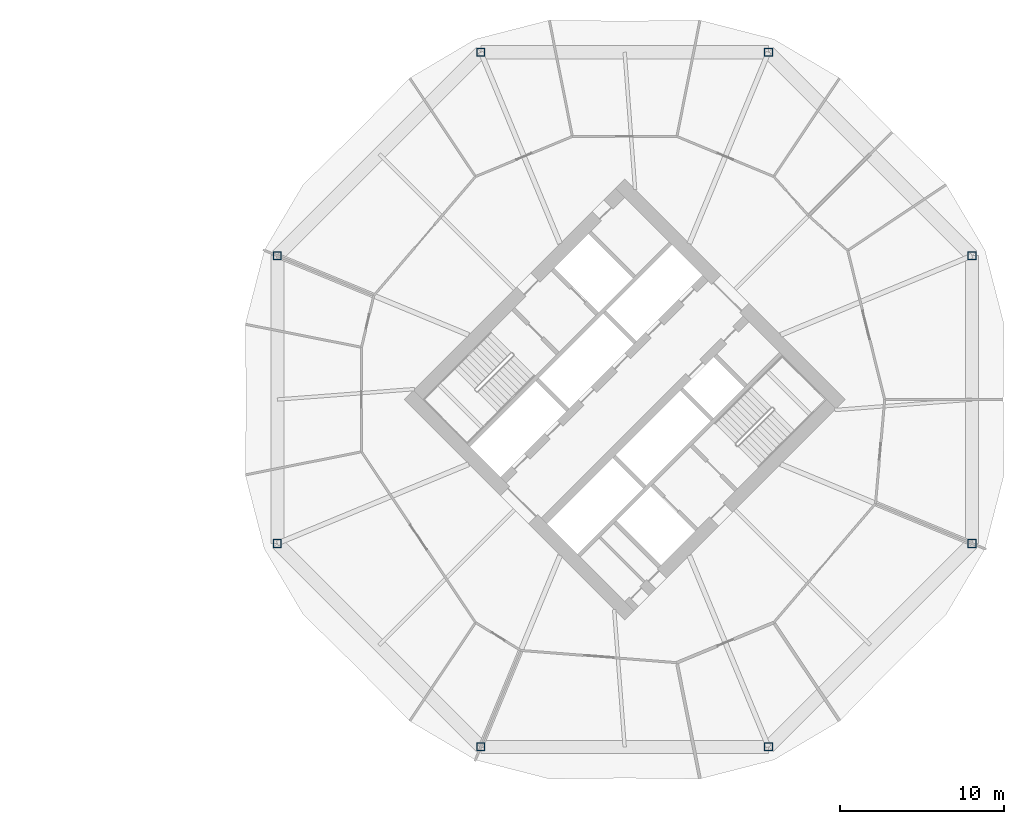
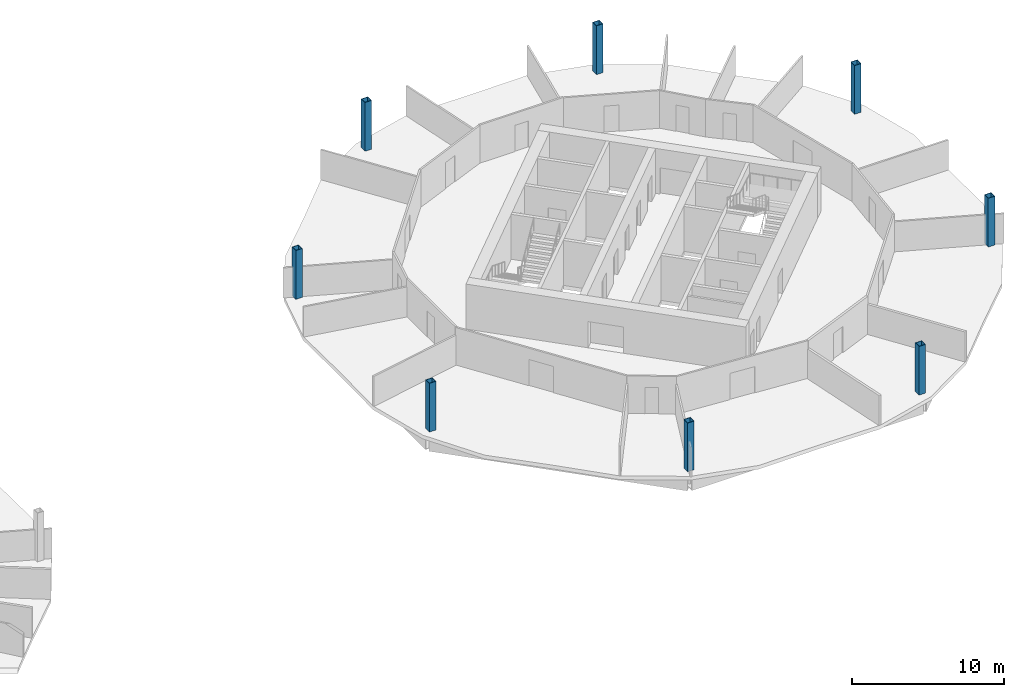
# One storey, part 2 of 10: 8 columns.
"""IFC4 building model written with IfcOpenShell, lengths in metres."""

from ifc_helpers import new_model, si_unit, direction, frame, origin, origin_2d, place, context, subcontext, project, spatial, hollow_rectangle, extrude, material, material_profile, profile_set, type_object, element, save


model = new_model("IFC4")

# Units and contexts
model_context = context("Model", 3, precision=1e-05, world=origin(), true_north=direction((0.0, 1.0)))
body_context = subcontext(model_context, "Body", "Model", "MODEL_VIEW")
ifc_project = project(units=[si_unit("LENGTHUNIT", "METRE"), si_unit("AREAUNIT", "SQUARE_METRE"), si_unit("VOLUMEUNIT", "CUBIC_METRE"), si_unit("PLANEANGLEUNIT", "RADIAN"), si_unit("MASSUNIT", "GRAM", prefix="KILO")], contexts=[model_context])

# Site, building, storey
site_placement = place(None, origin())
site = spatial("IfcSite", under=ifc_project, at=site_placement, CompositionType="ELEMENT")
building_placement = place(site_placement, origin())
building = spatial("IfcBuilding", under=site, at=building_placement, Name="Ogive Gate Towers", CompositionType="ELEMENT")
storey_placement = place(building_placement, frame((0.0, 0.0, 59.699951171875)))
storey = spatial("IfcBuildingStorey", under=building, at=storey_placement, Name="L13", CompositionType="ELEMENT", Elevation=59.699951171875)

# Columns
ifc_material = material(Name="Steel SM460", Category="steel")
ifc_material_profile = material_profile(ifc_material, hollow_rectangle(XDim=0.5, YDim=0.5, WallThickness=0.030029296875, at=origin_2d()), Name="BX 500x500x30")
ifc_profile_set = profile_set([ifc_material_profile], Name="Steel SM460")
column_type = type_object("IfcColumnType", Name="Perimeter post BX 500x500x30", PredefinedType="COLUMN", material=ifc_profile_set)
for number, where, z_axis, x_axis, name in (
    (1, (57.15673828125, 8.763427734375, 0.0), (0.0, 0.0, 1.0), (1.0, 0.0, 0.0), "T2/L13/SCL001"),
    (2, (44.763427734375, 21.15673828125, 0.0), (0.0, 0.0, 1.0), (1.0, 0.0, 0.0), "T2/L13/SCL002"),
    (3, (27.236572265625, 21.15673828125, 0.0), (0.0, 0.0, 1.0), (1.0, 0.0, 0.0), "T2/L13/SCL003"),
    (4, (14.84326171875, 8.763427734375, 0.0), (0.0, 0.0, 1.0), (1.0, 0.0, 0.0), "T2/L13/SCL004"),
    (5, (14.84326171875, -8.763427734375, 0.0), (0.0, 0.0, 1.0), (1.0, 0.0, 0.0), "T2/L13/SCL005"),
    (6, (27.236572265625, -21.15673828125, 0.0), (0.0, 0.0, 1.0), (1.0, 0.0, 0.0), "T2/L13/SCL006"),
    (7, (44.763427734375, -21.15673828125, 0.0), (0.0, 0.0, 1.0), (1.0, 0.0, 0.0), "T2/L13/SCL007"),
    (8, (57.15673828125, -8.763427734375, 0.0), (0.0, 0.0, 1.0), (1.0, 0.0, 0.0), "T2/L13/SCL008"),
):
    element("IfcColumn", number, at=place(storey_placement, frame(where, z_axis=z_axis, x_axis=x_axis)), inside=storey, type_object=column_type, Name=name, PredefinedType="COLUMN", context=body_context, shape_type="SweptSolid", body=[
        extrude(hollow_rectangle(XDim=0.5, YDim=0.5, WallThickness=0.030029296875, at=origin_2d()), origin(), (0.0, 0.0, 1.0), 3.900146484375),
    ])

save(model, "model.ifc")
